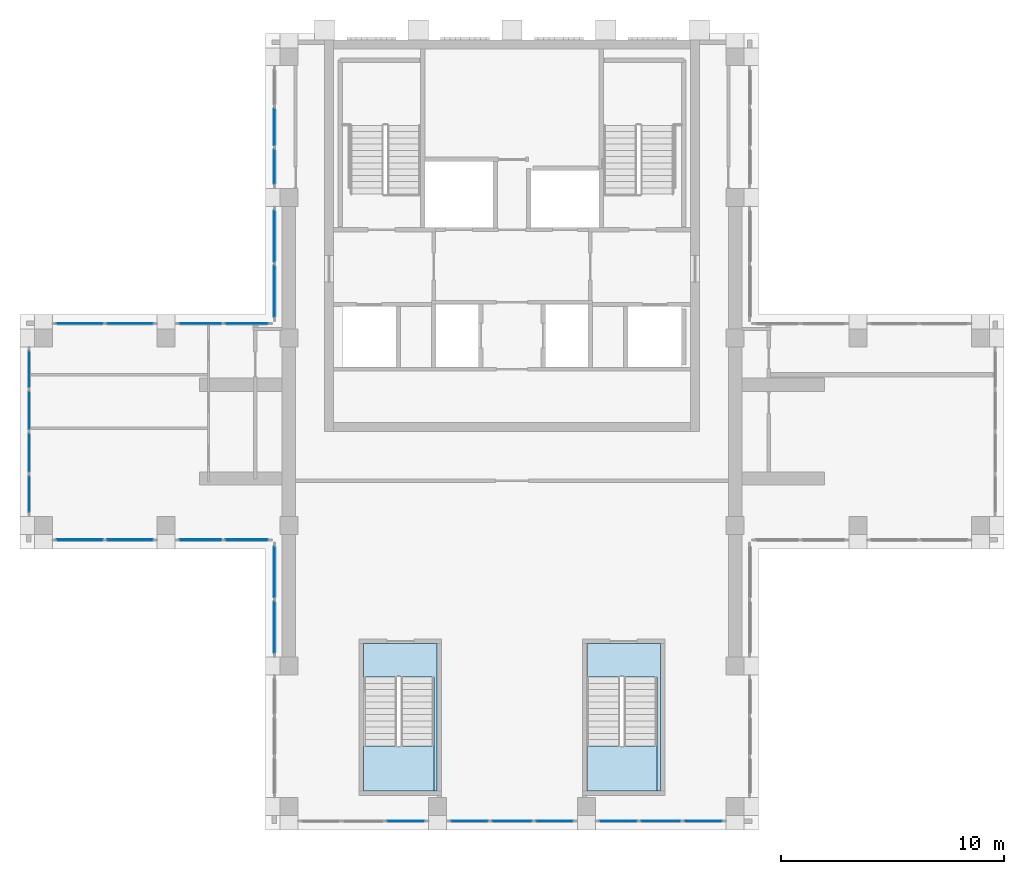
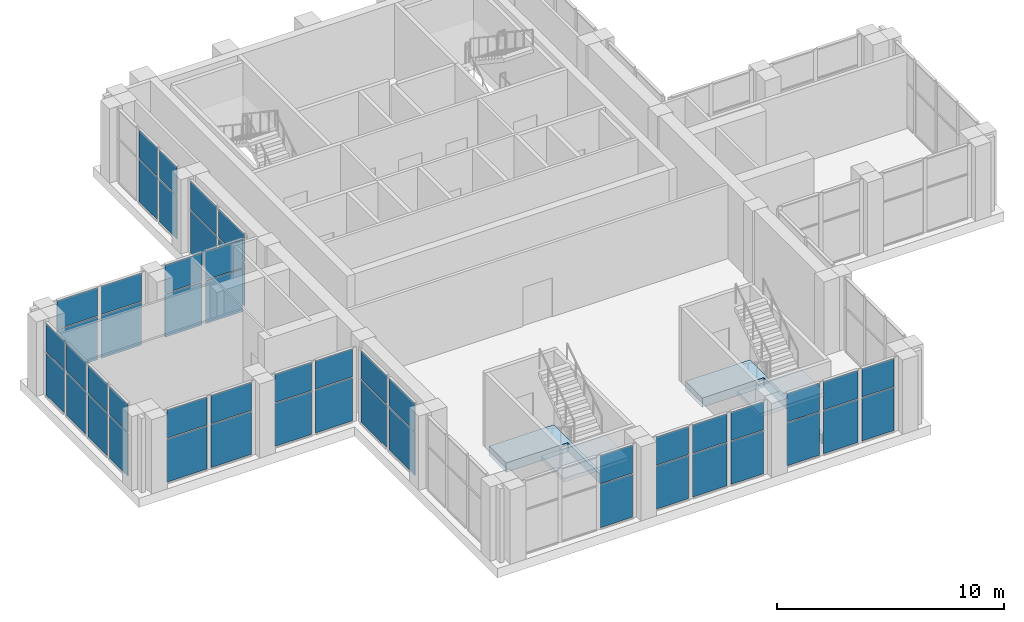
# One storey, part 7 of 15: 50 plates, 4 slabs, 13 elements without a shape of their own.
"""IFC4 building model written with IfcOpenShell, lengths in metres."""

from ifc_helpers import new_model, si_unit, direction, frame, origin, origin_2d, place, context, subcontext, project, spatial, polyline, rectangle, outline, extrude, material, layer, layer_set, type_object, element, aggregate, save


model = new_model("IFC4")

# Units and contexts
model_context = context("Model", 3, precision=1e-05, world=origin(), true_north=direction((0.0, 1.0)))
body_context = subcontext(model_context, "Body", "Model", "MODEL_VIEW")
ifc_project = project(units=[si_unit("LENGTHUNIT", "METRE"), si_unit("AREAUNIT", "SQUARE_METRE"), si_unit("VOLUMEUNIT", "CUBIC_METRE"), si_unit("PLANEANGLEUNIT", "RADIAN"), si_unit("MASSUNIT", "GRAM", prefix="KILO")], contexts=[model_context])

# Site, building, storey
site_placement = place(None, origin())
site = spatial("IfcSite", under=ifc_project, at=site_placement, CompositionType="ELEMENT")
building_placement = place(site_placement, origin())
building = spatial("IfcBuilding", under=site, at=building_placement, Name="Vermilion Ogive Tower", CompositionType="ELEMENT")
storey_placement = place(building_placement, frame((0.0, 0.0, 293.85009765625)))
storey = spatial("IfcBuildingStorey", under=building, at=storey_placement, Name="L76", CompositionType="ELEMENT", Elevation=293.85009765625)

# Curtain wall, plates
ifc_material_1 = material(Name="Low-iron laminated glazing in aluminium frame", Category="aluminium")
curtain_wall_type = type_object("IfcCurtainWallType", Name="Curtain wall CW3", PredefinedType="NOTDEFINED", material=ifc_material_1)
curtain_wall_1_placement = place(storey_placement, origin())
curtain_wall_1 = element("IfcCurtainWall", 1, at=curtain_wall_1_placement, inside=storey, type_object=curtain_wall_type, Name="CW3 glazing S1", PredefinedType="NOTDEFINED")
ifc_material_2 = material(Name="Low-iron laminated glazing in aluminium frame", Category="aluminium")
ifc_layer_1 = layer(ifc_material_2, 0.035888671875)
ifc_layer_set_1 = layer_set([ifc_layer_1], Name="CW3 glazing panel 36")
plate_type = type_object("IfcPlateType", Name="CW3 glazing panel 36", PredefinedType="CURTAIN_PANEL", material=ifc_layer_set_1)
plate_1_placement = place(storey_placement, frame((-4.76123046875, -13.25, 0.059814453125), z_axis=(0.0, 0.0, 1.0), x_axis=(1.0, 0.0, 0.0)))
plate_1 = element("IfcPlate", 2, at=plate_1_placement, type_object=plate_type, Name="CW3-S1 panel 3.1", PredefinedType="CURTAIN_PANEL", context=body_context, shape_type="SweptSolid", body=[
    extrude(rectangle(XDim=1.655517578125, YDim=0.035888671875, at=origin_2d()), origin(), (0.0, 0.0, 1.0), 2.31005859375),
])
plate_2_placement = place(storey_placement, frame((-4.76123046875, -13.25, 2.4296875), z_axis=(0.0, 0.0, 1.0), x_axis=(1.0, 0.0, 0.0)))
plate_2 = element("IfcPlate", 3, at=plate_2_placement, type_object=plate_type, Name="CW3-S1 panel 3.2", PredefinedType="CURTAIN_PANEL", context=body_context, shape_type="SweptSolid", body=[
    extrude(rectangle(XDim=1.655517578125, YDim=0.035888671875, at=origin_2d()), origin(), (0.0, 0.0, 1.0), 1.510009765625),
])
aggregate(curtain_wall_1, [plate_1, plate_2])

curtain_wall_2_placement = place(storey_placement, origin())
curtain_wall_2 = element("IfcCurtainWall", 4, at=curtain_wall_2_placement, inside=storey, type_object=curtain_wall_type, Name="CW3 glazing S2", PredefinedType="NOTDEFINED")
plate_3_placement = place(storey_placement, frame((-1.905517578125, -13.25, 0.059814453125), z_axis=(0.0, 0.0, 1.0), x_axis=(1.0, 0.0, 0.0)))
plate_3 = element("IfcPlate", 5, at=plate_3_placement, type_object=plate_type, Name="CW3-S2 panel 1.1", PredefinedType="CURTAIN_PANEL", context=body_context, shape_type="SweptSolid", body=[
    extrude(rectangle(XDim=1.655517578125, YDim=0.035888671875, at=origin_2d()), origin(), (0.0, 0.0, 1.0), 2.31005859375),
])
plate_4_placement = place(storey_placement, frame((-1.905517578125, -13.25, 2.4296875), z_axis=(0.0, 0.0, 1.0), x_axis=(1.0, 0.0, 0.0)))
plate_4 = element("IfcPlate", 6, at=plate_4_placement, type_object=plate_type, Name="CW3-S2 panel 1.2", PredefinedType="CURTAIN_PANEL", context=body_context, shape_type="SweptSolid", body=[
    extrude(rectangle(XDim=1.655517578125, YDim=0.035888671875, at=origin_2d()), origin(), (0.0, 0.0, 1.0), 1.510009765625),
])
plate_5_placement = place(storey_placement, frame((0.0, -13.25, 0.059814453125), z_axis=(0.0, 0.0, 1.0), x_axis=(1.0, 0.0, 0.0)))
plate_5 = element("IfcPlate", 7, at=plate_5_placement, type_object=plate_type, Name="CW3-S2 panel 2.1", PredefinedType="CURTAIN_PANEL", context=body_context, shape_type="SweptSolid", body=[
    extrude(rectangle(XDim=1.755615234375, YDim=0.035888671875, at=origin_2d()), origin(), (0.0, 0.0, 1.0), 2.31005859375),
])
plate_6_placement = place(storey_placement, frame((0.0, -13.25, 2.4296875), z_axis=(0.0, 0.0, 1.0), x_axis=(1.0, 0.0, 0.0)))
plate_6 = element("IfcPlate", 8, at=plate_6_placement, type_object=plate_type, Name="CW3-S2 panel 2.2", PredefinedType="CURTAIN_PANEL", context=body_context, shape_type="SweptSolid", body=[
    extrude(rectangle(XDim=1.755615234375, YDim=0.035888671875, at=origin_2d()), origin(), (0.0, 0.0, 1.0), 1.510009765625),
])
plate_7_placement = place(storey_placement, frame((1.905517578125, -13.25, 0.059814453125), z_axis=(0.0, 0.0, 1.0), x_axis=(1.0, 0.0, 0.0)))
plate_7 = element("IfcPlate", 9, at=plate_7_placement, type_object=plate_type, Name="CW3-S2 panel 3.1", PredefinedType="CURTAIN_PANEL", context=body_context, shape_type="SweptSolid", body=[
    extrude(rectangle(XDim=1.655517578125, YDim=0.035888671875, at=origin_2d()), origin(), (0.0, 0.0, 1.0), 2.31005859375),
])
plate_8_placement = place(storey_placement, frame((1.905517578125, -13.25, 2.4296875), z_axis=(0.0, 0.0, 1.0), x_axis=(1.0, 0.0, 0.0)))
plate_8 = element("IfcPlate", 10, at=plate_8_placement, type_object=plate_type, Name="CW3-S2 panel 3.2", PredefinedType="CURTAIN_PANEL", context=body_context, shape_type="SweptSolid", body=[
    extrude(rectangle(XDim=1.655517578125, YDim=0.035888671875, at=origin_2d()), origin(), (0.0, 0.0, 1.0), 1.510009765625),
])
aggregate(curtain_wall_2, [plate_3, plate_4, plate_5, plate_6, plate_7, plate_8])

curtain_wall_3_placement = place(storey_placement, origin())
curtain_wall_3 = element("IfcCurtainWall", 11, at=curtain_wall_3_placement, inside=storey, type_object=curtain_wall_type, Name="CW3 glazing S3", PredefinedType="NOTDEFINED")
plate_9_placement = place(storey_placement, frame((4.76123046875, -13.25, 0.059814453125), z_axis=(0.0, 0.0, 1.0), x_axis=(1.0, 0.0, 0.0)))
plate_9 = element("IfcPlate", 12, at=plate_9_placement, type_object=plate_type, Name="CW3-S3 panel 1.1", PredefinedType="CURTAIN_PANEL", context=body_context, shape_type="SweptSolid", body=[
    extrude(rectangle(XDim=1.655517578125, YDim=0.035888671875, at=origin_2d()), origin(), (0.0, 0.0, 1.0), 2.31005859375),
])
plate_10_placement = place(storey_placement, frame((4.76123046875, -13.25, 2.4296875), z_axis=(0.0, 0.0, 1.0), x_axis=(1.0, 0.0, 0.0)))
plate_10 = element("IfcPlate", 13, at=plate_10_placement, type_object=plate_type, Name="CW3-S3 panel 1.2", PredefinedType="CURTAIN_PANEL", context=body_context, shape_type="SweptSolid", body=[
    extrude(rectangle(XDim=1.655517578125, YDim=0.035888671875, at=origin_2d()), origin(), (0.0, 0.0, 1.0), 1.510009765625),
])
plate_11_placement = place(storey_placement, frame((6.666748046875, -13.25, 0.059814453125), z_axis=(0.0, 0.0, 1.0), x_axis=(1.0, 0.0, 0.0)))
plate_11 = element("IfcPlate", 14, at=plate_11_placement, type_object=plate_type, Name="CW3-S3 panel 2.1", PredefinedType="CURTAIN_PANEL", context=body_context, shape_type="SweptSolid", body=[
    extrude(rectangle(XDim=1.755615234375, YDim=0.035888671875, at=origin_2d()), origin(), (0.0, 0.0, 1.0), 2.31005859375),
])
plate_12_placement = place(storey_placement, frame((6.666748046875, -13.25, 2.4296875), z_axis=(0.0, 0.0, 1.0), x_axis=(1.0, 0.0, 0.0)))
plate_12 = element("IfcPlate", 15, at=plate_12_placement, type_object=plate_type, Name="CW3-S3 panel 2.2", PredefinedType="CURTAIN_PANEL", context=body_context, shape_type="SweptSolid", body=[
    extrude(rectangle(XDim=1.755615234375, YDim=0.035888671875, at=origin_2d()), origin(), (0.0, 0.0, 1.0), 1.510009765625),
])
plate_13_placement = place(storey_placement, frame((8.572265625, -13.25, 0.059814453125), z_axis=(0.0, 0.0, 1.0), x_axis=(1.0, 0.0, 0.0)))
plate_13 = element("IfcPlate", 16, at=plate_13_placement, type_object=plate_type, Name="CW3-S3 panel 3.1", PredefinedType="CURTAIN_PANEL", context=body_context, shape_type="SweptSolid", body=[
    extrude(rectangle(XDim=1.655517578125, YDim=0.035888671875, at=origin_2d()), origin(), (0.0, 0.0, 1.0), 2.31005859375),
])
plate_14_placement = place(storey_placement, frame((8.572265625, -13.25, 2.4296875), z_axis=(0.0, 0.0, 1.0), x_axis=(1.0, 0.0, 0.0)))
plate_14 = element("IfcPlate", 17, at=plate_14_placement, type_object=plate_type, Name="CW3-S3 panel 3.2", PredefinedType="CURTAIN_PANEL", context=body_context, shape_type="SweptSolid", body=[
    extrude(rectangle(XDim=1.655517578125, YDim=0.035888671875, at=origin_2d()), origin(), (0.0, 0.0, 1.0), 1.510009765625),
])
aggregate(curtain_wall_3, [plate_9, plate_10, plate_11, plate_12, plate_13, plate_14])

curtain_wall_4_placement = place(storey_placement, origin())
curtain_wall_4 = element("IfcCurtainWall", 18, at=curtain_wall_4_placement, inside=storey, type_object=curtain_wall_type, Name="CW3 glazing X51", PredefinedType="NOTDEFINED")
plate_15_placement = place(storey_placement, frame((-10.64990234375, 17.85009765625, 0.059814453125), z_axis=(0.0, 0.0, 1.0), x_axis=(0.0, -1.0, 0.0)))
plate_15 = element("IfcPlate", 19, at=plate_15_placement, type_object=plate_type, Name="CW3-X51 panel 2.1", PredefinedType="CURTAIN_PANEL", context=body_context, shape_type="SweptSolid", body=[
    extrude(rectangle(XDim=1.63330078125, YDim=0.035888671875, at=origin_2d()), origin(), (0.0, 0.0, 1.0), 2.31005859375),
])
plate_16_placement = place(storey_placement, frame((-10.64990234375, 17.85009765625, 2.4296875), z_axis=(0.0, 0.0, 1.0), x_axis=(0.0, -1.0, 0.0)))
plate_16 = element("IfcPlate", 20, at=plate_16_placement, type_object=plate_type, Name="CW3-X51 panel 2.2", PredefinedType="CURTAIN_PANEL", context=body_context, shape_type="SweptSolid", body=[
    extrude(rectangle(XDim=1.63330078125, YDim=0.035888671875, at=origin_2d()), origin(), (0.0, 0.0, 1.0), 1.510009765625),
])
plate_17_placement = place(storey_placement, frame((-10.64990234375, 16.066650390625, 0.059814453125), z_axis=(0.0, 0.0, 1.0), x_axis=(0.0, -1.0, 0.0)))
plate_17 = element("IfcPlate", 21, at=plate_17_placement, type_object=plate_type, Name="CW3-X51 panel 3.1", PredefinedType="CURTAIN_PANEL", context=body_context, shape_type="SweptSolid", body=[
    extrude(rectangle(XDim=1.533447265625, YDim=0.035888671875, at=origin_2d()), origin(), (0.0, 0.0, 1.0), 2.31005859375),
])
plate_18_placement = place(storey_placement, frame((-10.64990234375, 16.066650390625, 2.4296875), z_axis=(0.0, 0.0, 1.0), x_axis=(0.0, -1.0, 0.0)))
plate_18 = element("IfcPlate", 22, at=plate_18_placement, type_object=plate_type, Name="CW3-X51 panel 3.2", PredefinedType="CURTAIN_PANEL", context=body_context, shape_type="SweptSolid", body=[
    extrude(rectangle(XDim=1.533447265625, YDim=0.035888671875, at=origin_2d()), origin(), (0.0, 0.0, 1.0), 1.510009765625),
])
aggregate(curtain_wall_4, [plate_15, plate_16, plate_17, plate_18])

curtain_wall_5_placement = place(storey_placement, origin())
curtain_wall_5 = element("IfcCurtainWall", 23, at=curtain_wall_5_placement, inside=storey, type_object=curtain_wall_type, Name="CW3 glazing X52", PredefinedType="NOTDEFINED")
plate_19_placement = place(storey_placement, frame((-10.64990234375, 12.96240234375, 0.059814453125), z_axis=(0.0, 0.0, 1.0), x_axis=(0.0, -1.0, 0.0)))
plate_19 = element("IfcPlate", 24, at=plate_19_placement, type_object=plate_type, Name="CW3-X52 panel 1.1", PredefinedType="CURTAIN_PANEL", context=body_context, shape_type="SweptSolid", body=[
    extrude(rectangle(XDim=2.27490234375, YDim=0.035888671875, at=origin_2d()), origin(), (0.0, 0.0, 1.0), 2.31005859375),
])
plate_20_placement = place(storey_placement, frame((-10.64990234375, 12.96240234375, 2.4296875), z_axis=(0.0, 0.0, 1.0), x_axis=(0.0, -1.0, 0.0)))
plate_20 = element("IfcPlate", 25, at=plate_20_placement, type_object=plate_type, Name="CW3-X52 panel 1.2", PredefinedType="CURTAIN_PANEL", context=body_context, shape_type="SweptSolid", body=[
    extrude(rectangle(XDim=2.27490234375, YDim=0.035888671875, at=origin_2d()), origin(), (0.0, 0.0, 1.0), 1.510009765625),
])
plate_21_placement = place(storey_placement, frame((-10.64990234375, 10.487548828125, 0.059814453125), z_axis=(0.0, 0.0, 1.0), x_axis=(0.0, -1.0, 0.0)))
plate_21 = element("IfcPlate", 26, at=plate_21_placement, type_object=plate_type, Name="CW3-X52 panel 2.1", PredefinedType="CURTAIN_PANEL", context=body_context, shape_type="SweptSolid", body=[
    extrude(rectangle(XDim=2.27490234375, YDim=0.035888671875, at=origin_2d()), origin(), (0.0, 0.0, 1.0), 2.31005859375),
])
plate_22_placement = place(storey_placement, frame((-10.64990234375, 10.487548828125, 2.4296875), z_axis=(0.0, 0.0, 1.0), x_axis=(0.0, -1.0, 0.0)))
plate_22 = element("IfcPlate", 27, at=plate_22_placement, type_object=plate_type, Name="CW3-X52 panel 2.2", PredefinedType="CURTAIN_PANEL", context=body_context, shape_type="SweptSolid", body=[
    extrude(rectangle(XDim=2.27490234375, YDim=0.035888671875, at=origin_2d()), origin(), (0.0, 0.0, 1.0), 1.510009765625),
])
aggregate(curtain_wall_5, [plate_19, plate_20, plate_21, plate_22])

curtain_wall_6_placement = place(storey_placement, origin())
curtain_wall_6 = element("IfcCurtainWall", 28, at=curtain_wall_6_placement, inside=storey, type_object=curtain_wall_type, Name="CW3 glazing X61", PredefinedType="NOTDEFINED")
plate_23_placement = place(storey_placement, frame((-11.887451171875, 9.050048828125, 0.059814453125), z_axis=(0.0, 0.0, 1.0), x_axis=(-1.0, 0.0, 0.0)))
plate_23 = element("IfcPlate", 29, at=plate_23_placement, type_object=plate_type, Name="CW3-X61 panel 1.1", PredefinedType="CURTAIN_PANEL", context=body_context, shape_type="SweptSolid", body=[
    extrude(rectangle(XDim=1.875, YDim=0.035888671875, at=origin_2d()), origin(), (0.0, 0.0, 1.0), 2.31005859375),
])
plate_24_placement = place(storey_placement, frame((-11.887451171875, 9.050048828125, 2.4296875), z_axis=(0.0, 0.0, 1.0), x_axis=(-1.0, 0.0, 0.0)))
plate_24 = element("IfcPlate", 30, at=plate_24_placement, type_object=plate_type, Name="CW3-X61 panel 1.2", PredefinedType="CURTAIN_PANEL", context=body_context, shape_type="SweptSolid", body=[
    extrude(rectangle(XDim=1.875, YDim=0.035888671875, at=origin_2d()), origin(), (0.0, 0.0, 1.0), 1.510009765625),
])
plate_25_placement = place(storey_placement, frame((-13.96240234375, 9.050048828125, 0.059814453125), z_axis=(0.0, 0.0, 1.0), x_axis=(-1.0, 0.0, 0.0)))
plate_25 = element("IfcPlate", 31, at=plate_25_placement, type_object=plate_type, Name="CW3-X61 panel 2.1", PredefinedType="CURTAIN_PANEL", context=body_context, shape_type="SweptSolid", body=[
    extrude(rectangle(XDim=1.875, YDim=0.035888671875, at=origin_2d()), origin(), (0.0, 0.0, 1.0), 2.31005859375),
])
plate_26_placement = place(storey_placement, frame((-13.96240234375, 9.050048828125, 2.4296875), z_axis=(0.0, 0.0, 1.0), x_axis=(-1.0, 0.0, 0.0)))
plate_26 = element("IfcPlate", 32, at=plate_26_placement, type_object=plate_type, Name="CW3-X61 panel 2.2", PredefinedType="CURTAIN_PANEL", context=body_context, shape_type="SweptSolid", body=[
    extrude(rectangle(XDim=1.875, YDim=0.035888671875, at=origin_2d()), origin(), (0.0, 0.0, 1.0), 1.510009765625),
])
aggregate(curtain_wall_6, [plate_23, plate_24, plate_25, plate_26])

curtain_wall_7_placement = place(storey_placement, origin())
curtain_wall_7 = element("IfcCurtainWall", 33, at=curtain_wall_7_placement, inside=storey, type_object=curtain_wall_type, Name="CW3 glazing X62", PredefinedType="NOTDEFINED")
plate_27_placement = place(storey_placement, frame((-17.125, 9.050048828125, 0.059814453125), z_axis=(0.0, 0.0, 1.0), x_axis=(-1.0, 0.0, 0.0)))
plate_27 = element("IfcPlate", 34, at=plate_27_placement, type_object=plate_type, Name="CW3-X62 panel 1.1", PredefinedType="CURTAIN_PANEL", context=body_context, shape_type="SweptSolid", body=[
    extrude(rectangle(XDim=2.050048828125, YDim=0.035888671875, at=origin_2d()), origin(), (0.0, 0.0, 1.0), 2.31005859375),
])
plate_28_placement = place(storey_placement, frame((-17.125, 9.050048828125, 2.4296875), z_axis=(0.0, 0.0, 1.0), x_axis=(-1.0, 0.0, 0.0)))
plate_28 = element("IfcPlate", 35, at=plate_28_placement, type_object=plate_type, Name="CW3-X62 panel 1.2", PredefinedType="CURTAIN_PANEL", context=body_context, shape_type="SweptSolid", body=[
    extrude(rectangle(XDim=2.050048828125, YDim=0.035888671875, at=origin_2d()), origin(), (0.0, 0.0, 1.0), 1.510009765625),
])
plate_29_placement = place(storey_placement, frame((-19.375, 9.050048828125, 0.059814453125), z_axis=(0.0, 0.0, 1.0), x_axis=(-1.0, 0.0, 0.0)))
plate_29 = element("IfcPlate", 36, at=plate_29_placement, type_object=plate_type, Name="CW3-X62 panel 2.1", PredefinedType="CURTAIN_PANEL", context=body_context, shape_type="SweptSolid", body=[
    extrude(rectangle(XDim=2.050048828125, YDim=0.035888671875, at=origin_2d()), origin(), (0.0, 0.0, 1.0), 2.31005859375),
])
plate_30_placement = place(storey_placement, frame((-19.375, 9.050048828125, 2.4296875), z_axis=(0.0, 0.0, 1.0), x_axis=(-1.0, 0.0, 0.0)))
plate_30 = element("IfcPlate", 37, at=plate_30_placement, type_object=plate_type, Name="CW3-X62 panel 2.2", PredefinedType="CURTAIN_PANEL", context=body_context, shape_type="SweptSolid", body=[
    extrude(rectangle(XDim=2.050048828125, YDim=0.035888671875, at=origin_2d()), origin(), (0.0, 0.0, 1.0), 1.510009765625),
])
aggregate(curtain_wall_7, [plate_27, plate_28, plate_29, plate_30])

curtain_wall_8_placement = place(storey_placement, origin())
curtain_wall_8 = element("IfcCurtainWall", 38, at=curtain_wall_8_placement, inside=storey, type_object=curtain_wall_type, Name="CW3 glazing W1", PredefinedType="NOTDEFINED")
plate_31_placement = place(storey_placement, frame((-21.64990234375, 7.0, 0.059814453125), z_axis=(0.0, 0.0, 1.0), x_axis=(0.0, -1.0, 0.0)))
plate_31 = element("IfcPlate", 39, at=plate_31_placement, type_object=plate_type, Name="CW3-W1 panel 1.1", PredefinedType="CURTAIN_PANEL", context=body_context, shape_type="SweptSolid", body=[
    extrude(rectangle(XDim=1.60009765625, YDim=0.035888671875, at=origin_2d()), origin(), (0.0, 0.0, 1.0), 2.31005859375),
])
plate_32_placement = place(storey_placement, frame((-21.64990234375, 7.0, 2.4296875), z_axis=(0.0, 0.0, 1.0), x_axis=(0.0, -1.0, 0.0)))
plate_32 = element("IfcPlate", 40, at=plate_32_placement, type_object=plate_type, Name="CW3-W1 panel 1.2", PredefinedType="CURTAIN_PANEL", context=body_context, shape_type="SweptSolid", body=[
    extrude(rectangle(XDim=1.60009765625, YDim=0.035888671875, at=origin_2d()), origin(), (0.0, 0.0, 1.0), 1.510009765625),
])
plate_33_placement = place(storey_placement, frame((-21.64990234375, 5.14990234375, 0.059814453125), z_axis=(0.0, 0.0, 1.0), x_axis=(0.0, -1.0, 0.0)))
plate_33 = element("IfcPlate", 41, at=plate_33_placement, type_object=plate_type, Name="CW3-W1 panel 2.1", PredefinedType="CURTAIN_PANEL", context=body_context, shape_type="SweptSolid", body=[
    extrude(rectangle(XDim=1.699951171875, YDim=0.035888671875, at=origin_2d()), origin(), (0.0, 0.0, 1.0), 2.31005859375),
])
plate_34_placement = place(storey_placement, frame((-21.64990234375, 5.14990234375, 2.4296875), z_axis=(0.0, 0.0, 1.0), x_axis=(0.0, -1.0, 0.0)))
plate_34 = element("IfcPlate", 42, at=plate_34_placement, type_object=plate_type, Name="CW3-W1 panel 2.2", PredefinedType="CURTAIN_PANEL", context=body_context, shape_type="SweptSolid", body=[
    extrude(rectangle(XDim=1.699951171875, YDim=0.035888671875, at=origin_2d()), origin(), (0.0, 0.0, 1.0), 1.510009765625),
])
plate_35_placement = place(storey_placement, frame((-21.64990234375, 3.25, 0.059814453125), z_axis=(0.0, 0.0, 1.0), x_axis=(0.0, -1.0, 0.0)))
plate_35 = element("IfcPlate", 43, at=plate_35_placement, type_object=plate_type, Name="CW3-W1 panel 3.1", PredefinedType="CURTAIN_PANEL", context=body_context, shape_type="SweptSolid", body=[
    extrude(rectangle(XDim=1.699951171875, YDim=0.035888671875, at=origin_2d()), origin(), (0.0, 0.0, 1.0), 2.31005859375),
])
plate_36_placement = place(storey_placement, frame((-21.64990234375, 3.25, 2.4296875), z_axis=(0.0, 0.0, 1.0), x_axis=(0.0, -1.0, 0.0)))
plate_36 = element("IfcPlate", 44, at=plate_36_placement, type_object=plate_type, Name="CW3-W1 panel 3.2", PredefinedType="CURTAIN_PANEL", context=body_context, shape_type="SweptSolid", body=[
    extrude(rectangle(XDim=1.699951171875, YDim=0.035888671875, at=origin_2d()), origin(), (0.0, 0.0, 1.0), 1.510009765625),
])
plate_37_placement = place(storey_placement, frame((-21.64990234375, 1.39990234375, 0.059814453125), z_axis=(0.0, 0.0, 1.0), x_axis=(0.0, -1.0, 0.0)))
plate_37 = element("IfcPlate", 45, at=plate_37_placement, type_object=plate_type, Name="CW3-W1 panel 4.1", PredefinedType="CURTAIN_PANEL", context=body_context, shape_type="SweptSolid", body=[
    extrude(rectangle(XDim=1.60009765625, YDim=0.035888671875, at=origin_2d()), origin(), (0.0, 0.0, 1.0), 2.31005859375),
])
plate_38_placement = place(storey_placement, frame((-21.64990234375, 1.39990234375, 2.4296875), z_axis=(0.0, 0.0, 1.0), x_axis=(0.0, -1.0, 0.0)))
plate_38 = element("IfcPlate", 46, at=plate_38_placement, type_object=plate_type, Name="CW3-W1 panel 4.2", PredefinedType="CURTAIN_PANEL", context=body_context, shape_type="SweptSolid", body=[
    extrude(rectangle(XDim=1.60009765625, YDim=0.035888671875, at=origin_2d()), origin(), (0.0, 0.0, 1.0), 1.510009765625),
])
aggregate(curtain_wall_8, [plate_31, plate_32, plate_33, plate_34, plate_35, plate_36, plate_37, plate_38])

curtain_wall_9_placement = place(storey_placement, origin())
curtain_wall_9 = element("IfcCurtainWall", 47, at=curtain_wall_9_placement, inside=storey, type_object=curtain_wall_type, Name="CW3 glazing X71", PredefinedType="NOTDEFINED")
plate_39_placement = place(storey_placement, frame((-19.375, -0.64990234375, 0.059814453125), z_axis=(0.0, 0.0, 1.0), x_axis=(1.0, 0.0, 0.0)))
plate_39 = element("IfcPlate", 48, at=plate_39_placement, type_object=plate_type, Name="CW3-X71 panel 1.1", PredefinedType="CURTAIN_PANEL", context=body_context, shape_type="SweptSolid", body=[
    extrude(rectangle(XDim=2.050048828125, YDim=0.035888671875, at=origin_2d()), origin(), (0.0, 0.0, 1.0), 2.31005859375),
])
plate_40_placement = place(storey_placement, frame((-19.375, -0.64990234375, 2.4296875), z_axis=(0.0, 0.0, 1.0), x_axis=(1.0, 0.0, 0.0)))
plate_40 = element("IfcPlate", 49, at=plate_40_placement, type_object=plate_type, Name="CW3-X71 panel 1.2", PredefinedType="CURTAIN_PANEL", context=body_context, shape_type="SweptSolid", body=[
    extrude(rectangle(XDim=2.050048828125, YDim=0.035888671875, at=origin_2d()), origin(), (0.0, 0.0, 1.0), 1.510009765625),
])
plate_41_placement = place(storey_placement, frame((-17.125, -0.64990234375, 0.059814453125), z_axis=(0.0, 0.0, 1.0), x_axis=(1.0, 0.0, 0.0)))
plate_41 = element("IfcPlate", 50, at=plate_41_placement, type_object=plate_type, Name="CW3-X71 panel 2.1", PredefinedType="CURTAIN_PANEL", context=body_context, shape_type="SweptSolid", body=[
    extrude(rectangle(XDim=2.050048828125, YDim=0.035888671875, at=origin_2d()), origin(), (0.0, 0.0, 1.0), 2.31005859375),
])
plate_42_placement = place(storey_placement, frame((-17.125, -0.64990234375, 2.4296875), z_axis=(0.0, 0.0, 1.0), x_axis=(1.0, 0.0, 0.0)))
plate_42 = element("IfcPlate", 51, at=plate_42_placement, type_object=plate_type, Name="CW3-X71 panel 2.2", PredefinedType="CURTAIN_PANEL", context=body_context, shape_type="SweptSolid", body=[
    extrude(rectangle(XDim=2.050048828125, YDim=0.035888671875, at=origin_2d()), origin(), (0.0, 0.0, 1.0), 1.510009765625),
])
aggregate(curtain_wall_9, [plate_39, plate_40, plate_41, plate_42])

curtain_wall_10_placement = place(storey_placement, origin())
curtain_wall_10 = element("IfcCurtainWall", 52, at=curtain_wall_10_placement, inside=storey, type_object=curtain_wall_type, Name="CW3 glazing X72", PredefinedType="NOTDEFINED")
plate_43_placement = place(storey_placement, frame((-13.96240234375, -0.64990234375, 0.059814453125), z_axis=(0.0, 0.0, 1.0), x_axis=(1.0, 0.0, 0.0)))
plate_43 = element("IfcPlate", 53, at=plate_43_placement, type_object=plate_type, Name="CW3-X72 panel 1.1", PredefinedType="CURTAIN_PANEL", context=body_context, shape_type="SweptSolid", body=[
    extrude(rectangle(XDim=1.875, YDim=0.035888671875, at=origin_2d()), origin(), (0.0, 0.0, 1.0), 2.31005859375),
])
plate_44_placement = place(storey_placement, frame((-13.96240234375, -0.64990234375, 2.4296875), z_axis=(0.0, 0.0, 1.0), x_axis=(1.0, 0.0, 0.0)))
plate_44 = element("IfcPlate", 54, at=plate_44_placement, type_object=plate_type, Name="CW3-X72 panel 1.2", PredefinedType="CURTAIN_PANEL", context=body_context, shape_type="SweptSolid", body=[
    extrude(rectangle(XDim=1.875, YDim=0.035888671875, at=origin_2d()), origin(), (0.0, 0.0, 1.0), 1.510009765625),
])
plate_45_placement = place(storey_placement, frame((-11.887451171875, -0.64990234375, 0.059814453125), z_axis=(0.0, 0.0, 1.0), x_axis=(1.0, 0.0, 0.0)))
plate_45 = element("IfcPlate", 55, at=plate_45_placement, type_object=plate_type, Name="CW3-X72 panel 2.1", PredefinedType="CURTAIN_PANEL", context=body_context, shape_type="SweptSolid", body=[
    extrude(rectangle(XDim=1.875, YDim=0.035888671875, at=origin_2d()), origin(), (0.0, 0.0, 1.0), 2.31005859375),
])
plate_46_placement = place(storey_placement, frame((-11.887451171875, -0.64990234375, 2.4296875), z_axis=(0.0, 0.0, 1.0), x_axis=(1.0, 0.0, 0.0)))
plate_46 = element("IfcPlate", 56, at=plate_46_placement, type_object=plate_type, Name="CW3-X72 panel 2.2", PredefinedType="CURTAIN_PANEL", context=body_context, shape_type="SweptSolid", body=[
    extrude(rectangle(XDim=1.875, YDim=0.035888671875, at=origin_2d()), origin(), (0.0, 0.0, 1.0), 1.510009765625),
])
aggregate(curtain_wall_10, [plate_43, plate_44, plate_45, plate_46])

curtain_wall_11_placement = place(storey_placement, origin())
curtain_wall_11 = element("IfcCurtainWall", 57, at=curtain_wall_11_placement, inside=storey, type_object=curtain_wall_type, Name="CW3 glazing X81", PredefinedType="NOTDEFINED")
plate_47_placement = place(storey_placement, frame((-10.64990234375, -2.08740234375, 0.059814453125), z_axis=(0.0, 0.0, 1.0), x_axis=(0.0, -1.0, 0.0)))
plate_47 = element("IfcPlate", 58, at=plate_47_placement, type_object=plate_type, Name="CW3-X81 panel 1.1", PredefinedType="CURTAIN_PANEL", context=body_context, shape_type="SweptSolid", body=[
    extrude(rectangle(XDim=2.27490234375, YDim=0.035888671875, at=origin_2d()), origin(), (0.0, 0.0, 1.0), 2.31005859375),
])
plate_48_placement = place(storey_placement, frame((-10.64990234375, -2.08740234375, 2.4296875), z_axis=(0.0, 0.0, 1.0), x_axis=(0.0, -1.0, 0.0)))
plate_48 = element("IfcPlate", 59, at=plate_48_placement, type_object=plate_type, Name="CW3-X81 panel 1.2", PredefinedType="CURTAIN_PANEL", context=body_context, shape_type="SweptSolid", body=[
    extrude(rectangle(XDim=2.27490234375, YDim=0.035888671875, at=origin_2d()), origin(), (0.0, 0.0, 1.0), 1.510009765625),
])
plate_49_placement = place(storey_placement, frame((-10.64990234375, -4.5625, 0.059814453125), z_axis=(0.0, 0.0, 1.0), x_axis=(0.0, -1.0, 0.0)))
plate_49 = element("IfcPlate", 60, at=plate_49_placement, type_object=plate_type, Name="CW3-X81 panel 2.1", PredefinedType="CURTAIN_PANEL", context=body_context, shape_type="SweptSolid", body=[
    extrude(rectangle(XDim=2.27490234375, YDim=0.035888671875, at=origin_2d()), origin(), (0.0, 0.0, 1.0), 2.31005859375),
])
plate_50_placement = place(storey_placement, frame((-10.64990234375, -4.5625, 2.4296875), z_axis=(0.0, 0.0, 1.0), x_axis=(0.0, -1.0, 0.0)))
plate_50 = element("IfcPlate", 61, at=plate_50_placement, type_object=plate_type, Name="CW3-X81 panel 2.2", PredefinedType="CURTAIN_PANEL", context=body_context, shape_type="SweptSolid", body=[
    extrude(rectangle(XDim=2.27490234375, YDim=0.035888671875, at=origin_2d()), origin(), (0.0, 0.0, 1.0), 1.510009765625),
])
aggregate(curtain_wall_11, [plate_47, plate_48, plate_49, plate_50])

# Slabs
ifc_material_3 = material(Name="Concrete B40", Category="concrete")
ifc_layer_2 = layer(ifc_material_3, 0.5)
ifc_layer_set_2 = layer_set([ifc_layer_2], Name="Core floor slab 500 B40")
slab_type_1 = type_object("IfcSlabType", Name="Core floor slab 500 B40", PredefinedType="FLOOR", material=ifc_layer_set_2)
slab_1_placement = place(storey_placement, frame((0.0, 0.0, -0.5)))
element("IfcSlab", 62, at=slab_1_placement, inside=storey, type_object=slab_type_1, Name="L76-SF-ST6-1", PredefinedType="FLOOR", context=body_context, shape_type="SweptSolid", body=[
    extrude(outline(polyline([(3.35009765625, -5.300048828125), (3.35009765625, -6.802001953125), (4.85009765625, -6.802001953125), (4.85009765625, -6.800048828125), (5.0, -6.800048828125), (5.0, -6.802001953125), (6.5, -6.802001953125), (6.5, -11.89990234375), (6.64990234375, -11.89990234375), (6.64990234375, -5.300048828125), (3.35009765625, -5.300048828125)])), origin(), (0.0, 0.0, 1.0), 0.5),
])
slab_2_placement = place(storey_placement, frame((0.0, 0.0, -0.5)))
element("IfcSlab", 63, at=slab_2_placement, inside=storey, type_object=slab_type_1, Name="L76-SF-ST7-1", PredefinedType="FLOOR", context=body_context, shape_type="SweptSolid", body=[
    extrude(outline(polyline([(-6.64990234375, -5.300048828125), (-6.64990234375, -6.802001953125), (-5.14990234375, -6.802001953125), (-5.14990234375, -6.800048828125), (-5.0, -6.800048828125), (-5.0, -6.802001953125), (-3.5, -6.802001953125), (-3.5, -11.89990234375), (-3.35009765625, -11.89990234375), (-3.35009765625, -5.300048828125), (-6.64990234375, -5.300048828125)])), origin(), (0.0, 0.0, 1.0), 0.5),
])

# Stair, slab
ifc_material_4 = material(Name="Concrete B40", Category="concrete")
stair_type = type_object("IfcStairType", Name="Exit stair 1500", PredefinedType="HALF_TURN_STAIR", material=ifc_material_4)
stair_1_placement = place(storey_placement, origin())
stair_1 = element("IfcStair", 64, at=stair_1_placement, inside=storey, type_object=stair_type, Name="L76 Exit Stair ST6", PredefinedType="HALF_TURN_STAIR")
ifc_material_5 = material(Name="Concrete B40", Category="concrete")
ifc_layer_3 = layer(ifc_material_5, 0.199951171875)
ifc_layer_set_3 = layer_set([ifc_layer_3], Name="Stair landing 200")
slab_type_2 = type_object("IfcSlabType", Name="Stair landing 200", PredefinedType="LANDING", material=ifc_layer_set_3)
slab_3_placement = place(storey_placement, frame((0.0, 0.0, 2.0498046875)))
slab_3 = element("IfcSlab", 65, at=slab_3_placement, type_object=slab_type_2, Name="ST6 landing 1", PredefinedType="LANDING", context=body_context, shape_type="SweptSolid", body=[
    extrude(outline(polyline([(6.64990234375, -9.8798828125), (6.5, -9.8798828125), (6.5, -9.8779296875), (5.0, -9.8779296875), (5.0, -9.8798828125), (4.85009765625, -9.8798828125), (4.85009765625, -9.8779296875), (3.35009765625, -9.8779296875), (3.35009765625, -11.89990234375), (6.64990234375, -11.89990234375), (6.64990234375, -9.8798828125)])), origin(), (0.0, 0.0, 1.0), 0.2001953125),
])
aggregate(stair_1, [slab_3])

stair_2_placement = place(storey_placement, origin())
stair_2 = element("IfcStair", 66, at=stair_2_placement, inside=storey, type_object=stair_type, Name="L76 Exit Stair ST7", PredefinedType="HALF_TURN_STAIR")
slab_4_placement = place(storey_placement, frame((0.0, 0.0, 2.0498046875)))
slab_4 = element("IfcSlab", 67, at=slab_4_placement, type_object=slab_type_2, Name="ST7 landing 1", PredefinedType="LANDING", context=body_context, shape_type="SweptSolid", body=[
    extrude(outline(polyline([(-3.35009765625, -9.8798828125), (-3.5, -9.8798828125), (-3.5, -9.8779296875), (-5.0, -9.8779296875), (-5.0, -9.8798828125), (-5.14990234375, -9.8798828125), (-5.14990234375, -9.8779296875), (-6.64990234375, -9.8779296875), (-6.64990234375, -11.89990234375), (-3.35009765625, -11.89990234375), (-3.35009765625, -9.8798828125)])), origin(), (0.0, 0.0, 1.0), 0.2001953125),
])
aggregate(stair_2, [slab_4])

save(model, "model.ifc")
